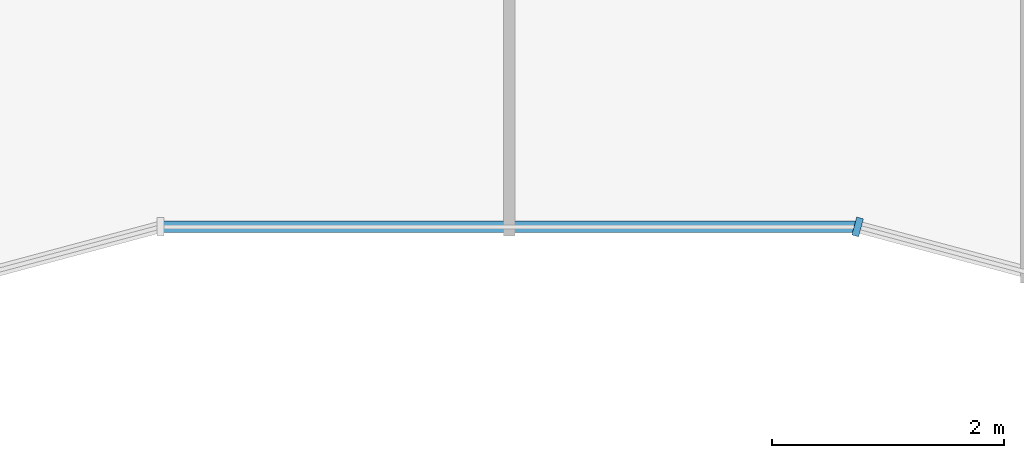
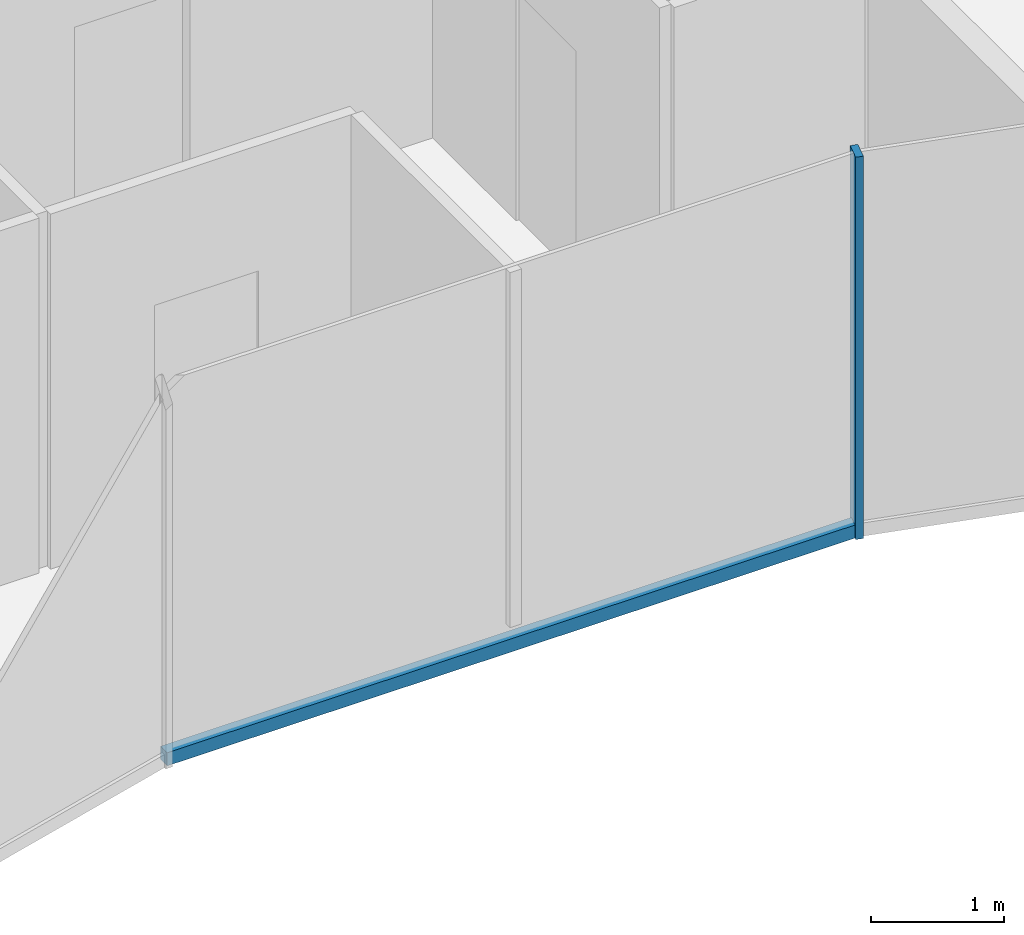
# One storey, part 3 of 15: 2 members, 2 elements without a shape of their own.
"""IFC4 building model written with IfcOpenShell, lengths in metres."""

from ifc_helpers import new_model, si_unit, direction, frame, origin, origin_2d, place, context, subcontext, project, spatial, rectangle, extrude, material, layer, layer_set, material_profile, profile_set, type_object, element, aggregate, save


model = new_model("IFC4")

# Units and contexts
model_context = context("Model", 3, precision=1e-05, world=origin(), true_north=direction((0.0, 1.0)))
body_context = subcontext(model_context, "Body", "Model", "MODEL_VIEW")
ifc_project = project(units=[si_unit("LENGTHUNIT", "METRE"), si_unit("AREAUNIT", "SQUARE_METRE"), si_unit("VOLUMEUNIT", "CUBIC_METRE"), si_unit("PLANEANGLEUNIT", "RADIAN"), si_unit("MASSUNIT", "GRAM", prefix="KILO")], contexts=[model_context])

# Site, building, storey
site_placement = place(None, origin())
site = spatial("IfcSite", under=ifc_project, at=site_placement, CompositionType="ELEMENT")
building_placement = place(site_placement, origin())
building = spatial("IfcBuilding", under=site, at=building_placement, Name="Plateau Cross Towers", CompositionType="ELEMENT")
storey_placement = place(building_placement, frame((0.0, 0.0, 208.39990234375)))
storey = spatial("IfcBuildingStorey", under=building, at=storey_placement, Name="L54", CompositionType="ELEMENT", Elevation=208.39990234375)

# Curtain wall, member
ifc_material_1 = material(Name="Dark low-iron glass", Category="glass")
ifc_layer = layer(ifc_material_1, 0.260009765625)
ifc_layer_set = layer_set([ifc_layer], Name="Dark low-iron glass")
curtain_wall_type = type_object("IfcCurtainWallType", Name="Curtain wall fluted unitised CW-A", PredefinedType="NOTDEFINED", material=ifc_layer_set)
curtain_wall_1_placement = place(storey_placement, origin())
curtain_wall_1 = element("IfcCurtainWall", 1, at=curtain_wall_1_placement, inside=storey, type_object=curtain_wall_type, Name="ENV/A/L54/A300_16", PredefinedType="NOTDEFINED")
ifc_material_2 = material(Name="Black anodised aluminium", Category="aluminium")
ifc_material_profile_1 = material_profile(ifc_material_2, rectangle(XDim=0.06005859375, YDim=0.159912109375, at=origin_2d()), Name="MULLION 60x160")
ifc_profile_set_1 = profile_set([ifc_material_profile_1], Name="Black anodised aluminium")
member_type_1 = type_object("IfcMemberType", Name="Mullion 60x160 fluted unitised", PredefinedType="MULLION", material=ifc_profile_set_1)
member_1_placement = place(storey_placement, frame((30.0, 1.60693359375, -0.25), z_axis=(0.0, 0.0, 1.0), x_axis=(0.965957983404, -0.258699003279, 0.0)))
member_1 = element("IfcMember", 2, at=member_1_placement, type_object=member_type_1, Name="CW-A mullion 1", PredefinedType="MULLION", context=body_context, shape_type="SweptSolid", body=[
    extrude(rectangle(XDim=0.06005859375, YDim=0.159912109375, at=origin_2d()), origin(), (0.0, 0.0, 1.0), 3.5),
])
aggregate(curtain_wall_1, [member_1])

curtain_wall_2_placement = place(storey_placement, origin())
curtain_wall_2 = element("IfcCurtainWall", 3, at=curtain_wall_2_placement, inside=storey, type_object=curtain_wall_type, Name="ENV/A/L54/A240_16", PredefinedType="NOTDEFINED")
ifc_material_profile_2 = material_profile(ifc_material_2, rectangle(XDim=0.10009765625, YDim=0.1201171875, at=origin_2d()), Name="TRANSOM 100x120")
ifc_profile_set_2 = profile_set([ifc_material_profile_2], Name="Black anodised aluminium")
member_type_2 = type_object("IfcMemberType", Name="Transom 100x120 fluted unitised", PredefinedType="USERDEFINED", material=ifc_profile_set_2)
member_2_placement = place(storey_placement, frame((24.0, 1.60693359375, -0.18994140625), z_axis=(1.0, 0.0, 0.0), x_axis=(0.0, 1.0, 0.0)))
member_2 = element("IfcMember", 4, at=member_2_placement, type_object=member_type_2, Name="CW-A transom", ObjectType="TRANSOM", PredefinedType="USERDEFINED", context=body_context, shape_type="SweptSolid", body=[
    extrude(rectangle(XDim=0.10009765625, YDim=0.1201171875, at=origin_2d()), origin(), (0.0, 0.0, 1.0), 6.0),
])
aggregate(curtain_wall_2, [member_2])

save(model, "model.ifc")
